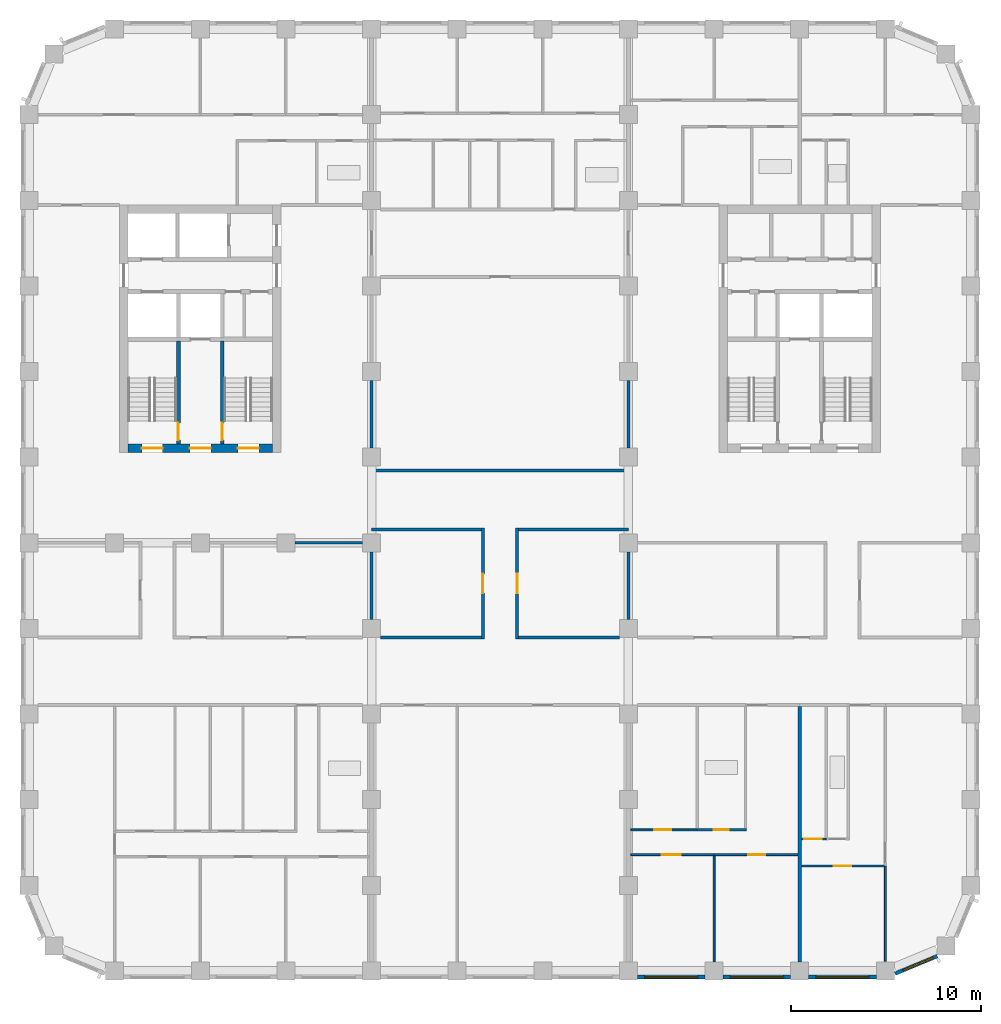
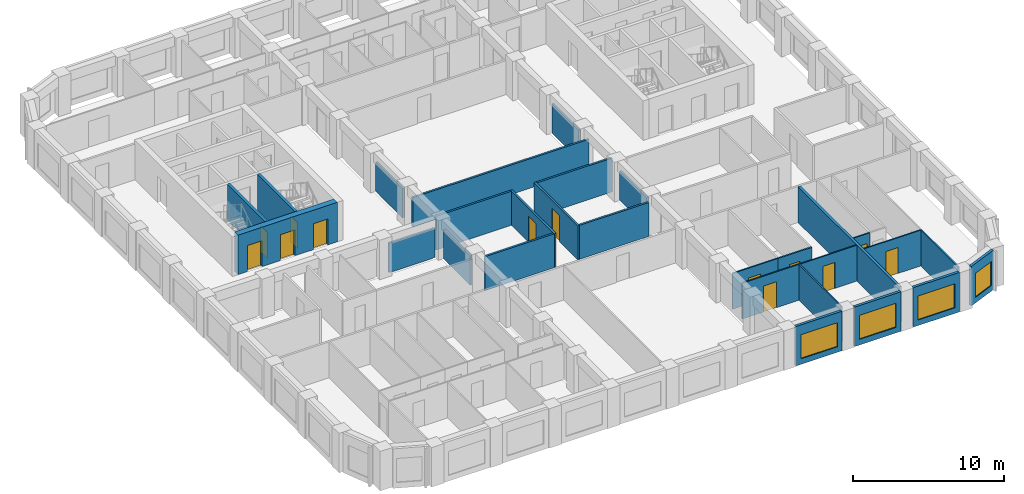
# One storey, part 4 of 13: 28 walls, 13 doors, 4 windows, 17 openings.
"""IFC4 building model written with IfcOpenShell, lengths in metres."""

from ifc_helpers import new_model, si_unit, direction, frame, frame_2d, origin, place, context, subcontext, project, spatial, rectangle, extrude, material, layer, layer_set, type_object, element, fill, save


model = new_model("IFC4")

# Units and contexts
model_context = context("Model", 3, precision=1e-05, world=origin(), true_north=direction((0.0, 1.0)))
body_context = subcontext(model_context, "Body", "Model", "MODEL_VIEW")
ifc_project = project(units=[si_unit("LENGTHUNIT", "METRE"), si_unit("AREAUNIT", "SQUARE_METRE"), si_unit("VOLUMEUNIT", "CUBIC_METRE"), si_unit("PLANEANGLEUNIT", "RADIAN"), si_unit("MASSUNIT", "GRAM", prefix="KILO")], contexts=[model_context])

# Site, building, storey
site_placement = place(None, origin())
site = spatial("IfcSite", under=ifc_project, at=site_placement, CompositionType="ELEMENT")
building_placement = place(site_placement, origin())
building = spatial("IfcBuilding", under=site, at=building_placement, Name="Girih Gate Residences", CompositionType="ELEMENT")
storey_placement = place(building_placement, frame((0.0, 0.0, 133.39990234375)))
storey = spatial("IfcBuildingStorey", under=building, at=storey_placement, Name="L37", CompositionType="ELEMENT", Elevation=133.39990234375)

# Wall, opening, door
ifc_material_1 = material(Name="Gypsum board on steel studs", Category="steel")
ifc_layer_1 = layer(ifc_material_1, 0.14990234375)
ifc_layer_set_1 = layer_set([ifc_layer_1], Name="Compartment wall 150 mm")
wall_type_1 = type_object("IfcWallType", Name="Compartment wall 150 mm", PredefinedType="PARTITIONING", material=ifc_layer_set_1)
wall_1_placement = place(storey_placement, frame((23.85009765625, 17.449951171875, 0.0), z_axis=(0.0, 0.0, 1.0), x_axis=(0.0, 1.0, 0.0)))
wall_1 = element("IfcWall", 1, at=wall_1_placement, inside=storey, type_object=wall_type_1, Name="L37 partition", PredefinedType="PARTITIONING", context=body_context, shape_type="SweptSolid", body=[
    extrude(rectangle(XDim=5.824951171875, YDim=0.14990234375, at=frame_2d((2.91259765625, 0.0))), origin(), (0.0, 0.0, 1.0), 2.75),
])
opening_1_placement = place(wall_1_placement, frame((2.41259765625, 0.0, 0.0)))
opening_1 = element("IfcOpeningElement", 2, at=opening_1_placement, cuts=wall_1, Name="Opening A37-051", PredefinedType="OPENING", context=body_context, shape_type="SweptSolid", body=[
    extrude(rectangle(XDim=1.0, YDim=2.10009765625, at=frame_2d((0.5, 1.050048828125))), frame((0.0, 0.0849609375, 0.0), z_axis=(0.0, -1.0, 0.0), x_axis=(1.0, 0.0, 0.0)), (0.0, 0.0, 1.0), 0.169921875),
])
ifc_material_2 = material(Name="Timber, fire-rated core", Category="wood")
door_type_1 = type_object("IfcDoorType", Name="Amenity room door 1000x2100 FD30S", OperationType="NOTDEFINED", PredefinedType="DOOR", material=ifc_material_2)
door_1_placement = place(opening_1_placement, origin())
door_1 = element("IfcDoor", 3, at=door_1_placement, inside=storey, type_object=door_type_1, Name="Door A37-051", OperationType="SINGLE_SWING_LEFT", OverallHeight=2.10009765625, OverallWidth=1.0, PredefinedType="DOOR", context=body_context, shape_type="SweptSolid", body=[
    extrude(rectangle(XDim=1.0, YDim=2.10009765625, at=frame_2d((0.5, 1.050048828125))), frame((0.0, 0.02490234375, 0.0), z_axis=(0.0, -1.0, 0.0), x_axis=(1.0, 0.0, 0.0)), (0.0, 0.0, 1.0), 0.050048828125),
])
fill(opening_1, door_1)

wall_2_placement = place(storey_placement, frame((25.64990234375, 23.27490234375, 0.0), z_axis=(0.0, 0.0, 1.0), x_axis=(0.0, -1.0, 0.0)))
wall_2 = element("IfcWall", 4, at=wall_2_placement, inside=storey, type_object=wall_type_1, Name="L37 partition", PredefinedType="PARTITIONING", context=body_context, shape_type="SweptSolid", body=[
    extrude(rectangle(XDim=5.824951171875, YDim=0.14990234375, at=frame_2d((2.91259765625, 0.0))), origin(), (0.0, 0.0, 1.0), 2.75),
])
opening_2_placement = place(wall_2_placement, frame((2.41259765625, 0.0, 0.0)))
opening_2 = element("IfcOpeningElement", 5, at=opening_2_placement, cuts=wall_2, Name="Opening A37-052", PredefinedType="OPENING", context=body_context, shape_type="SweptSolid", body=[
    extrude(rectangle(XDim=1.0, YDim=2.10009765625, at=frame_2d((0.5, 1.050048828125))), frame((0.0, 0.0849609375, 0.0), z_axis=(0.0, -1.0, 0.0), x_axis=(1.0, 0.0, 0.0)), (0.0, 0.0, 1.0), 0.169921875),
])
door_2_placement = place(opening_2_placement, origin())
door_2 = element("IfcDoor", 6, at=door_2_placement, inside=storey, type_object=door_type_1, Name="Door A37-052", OperationType="SINGLE_SWING_RIGHT", OverallHeight=2.10009765625, OverallWidth=1.0, PredefinedType="DOOR", context=body_context, shape_type="SweptSolid", body=[
    extrude(rectangle(XDim=1.0, YDim=2.10009765625, at=frame_2d((0.5, 1.050048828125))), frame((0.0, 0.02490234375, 0.0), z_axis=(0.0, -1.0, 0.0), x_axis=(1.0, 0.0, 0.0)), (0.0, 0.0, 1.0), 0.050048828125),
])
fill(opening_2, door_2)

# Walls
for number, where, z_axis, x_axis, name in (
    (7, (18.47509765625, 17.52490234375, 0.0), (0.0, 0.0, 1.0), (1.0, 0.0, 0.0), "L37 partition"),
    (8, (25.72509765625, 17.52490234375, 0.0), (0.0, 0.0, 1.0), (1.0, 0.0, 0.0), "L37 partition"),
):
    element("IfcWall", number, at=place(storey_placement, frame(where, z_axis=z_axis, x_axis=x_axis)), inside=storey, type_object=wall_type_1, Name=name, PredefinedType="PARTITIONING", context=body_context, shape_type="SweptSolid", body=[
        extrude(rectangle(XDim=5.2998046875, YDim=0.14990234375, at=frame_2d((2.64990234375, 0.0))), origin(), (0.0, 0.0, 1.0), 2.75),
    ])
for number, where, z_axis, x_axis, name in (
    (9, (31.5, 27.47509765625, 0.0), (0.0, 0.0, 1.0), (0.0, 1.0, 0.0), "L37 partition"),
    (10, (18.0, 27.47509765625, 0.0), (0.0, 0.0, 1.0), (0.0, 1.0, 0.0), "L37 partition"),
):
    element("IfcWall", number, at=place(storey_placement, frame(where, z_axis=z_axis, x_axis=x_axis)), inside=storey, type_object=wall_type_1, Name=name, PredefinedType="PARTITIONING", context=body_context, shape_type="SweptSolid", body=[
        extrude(rectangle(XDim=3.5498046875, YDim=0.14990234375, at=frame_2d((1.77490234375, 0.0))), origin(), (0.0, 0.0, 1.0), 2.380126953125),
    ])
wall_3_placement = place(storey_placement, frame((18.0, 26.300048828125, 0.0), z_axis=(0.0, 0.0, 1.0), x_axis=(1.0, 0.0, 0.0)))
element("IfcWall", 11, at=wall_3_placement, inside=storey, type_object=wall_type_1, Name="L37 partition", PredefinedType="PARTITIONING", context=body_context, shape_type="SweptSolid", body=[
    extrude(rectangle(XDim=13.5, YDim=0.14990234375, at=frame_2d((6.75, 0.0))), origin(), (0.0, 0.0, 1.0), 2.380126953125),
])
wall_4_placement = place(storey_placement, frame((18.0, 23.199951171875, 0.0), z_axis=(0.0, 0.0, 1.0), x_axis=(1.0, 0.0, 0.0)))
element("IfcWall", 12, at=wall_4_placement, inside=storey, type_object=wall_type_1, Name="L37 partition", PredefinedType="PARTITIONING", context=body_context, shape_type="SweptSolid", body=[
    extrude(rectangle(XDim=5.77490234375, YDim=0.14990234375, at=frame_2d((2.887451171875, 0.0))), origin(), (0.0, 0.0, 1.0), 2.75),
])
wall_5_placement = place(storey_placement, frame((18.0, 18.47509765625, 0.0), z_axis=(0.0, 0.0, 1.0), x_axis=(0.0, 1.0, 0.0)))
element("IfcWall", 13, at=wall_5_placement, inside=storey, type_object=wall_type_1, Name="L37 partition", PredefinedType="PARTITIONING", context=body_context, shape_type="SweptSolid", body=[
    extrude(rectangle(XDim=3.5498046875, YDim=0.14990234375, at=frame_2d((1.77490234375, 0.0))), origin(), (0.0, 0.0, 1.0), 2.380126953125),
])
wall_6_placement = place(storey_placement, frame((25.72509765625, 23.199951171875, 0.0), z_axis=(0.0, 0.0, 1.0), x_axis=(1.0, 0.0, 0.0)))
element("IfcWall", 14, at=wall_6_placement, inside=storey, type_object=wall_type_1, Name="L37 partition", PredefinedType="PARTITIONING", context=body_context, shape_type="SweptSolid", body=[
    extrude(rectangle(XDim=5.77490234375, YDim=0.14990234375, at=frame_2d((2.887451171875, 0.0))), origin(), (0.0, 0.0, 1.0), 2.75),
])
for number, where, z_axis, x_axis, name in (
    (15, (31.5, 18.47509765625, 0.0), (0.0, 0.0, 1.0), (0.0, 1.0, 0.0), "L37 partition"),
    (16, (13.97509765625, 22.5, 0.0), (0.0, 0.0, 1.0), (1.0, 0.0, 0.0), "L37 partition"),
):
    element("IfcWall", number, at=place(storey_placement, frame(where, z_axis=z_axis, x_axis=x_axis)), inside=storey, type_object=wall_type_1, Name=name, PredefinedType="PARTITIONING", context=body_context, shape_type="SweptSolid", body=[
        extrude(rectangle(XDim=3.5498046875, YDim=0.14990234375, at=frame_2d((1.77490234375, 0.0))), origin(), (0.0, 0.0, 1.0), 2.380126953125),
    ])

# Wall, openings, doors
ifc_material_3 = material(Name="Concrete C60/75", Category="concrete")
ifc_layer_2 = layer(ifc_material_3, 0.449951171875)
ifc_layer_set_2 = layer_set([ifc_layer_2], Name="Core wall RC 450 Concrete C60/75")
wall_type_2 = type_object("IfcWallType", Name="Core wall RC 450 Concrete C60/75", PredefinedType="SOLIDWALL", material=ifc_layer_set_2)
wall_7_placement = place(storey_placement, frame((5.199951171875, 27.47509765625, 0.0), z_axis=(0.0, 0.0, 1.0), x_axis=(1.0, 0.0, 0.0)))
wall_7 = element("IfcWall", 17, at=wall_7_placement, inside=storey, type_object=wall_type_2, Name="Core wall W-S L37", PredefinedType="SOLIDWALL", context=body_context, shape_type="SweptSolid", body=[
    extrude(rectangle(XDim=7.60009765625, YDim=0.449951171875, at=frame_2d((3.800048828125, 0.0))), origin(), (0.0, 0.0, 1.0), 3.2001953125),
])
opening_3_placement = place(wall_7_placement, frame((0.72509765625, 0.0, 0.0)))
opening_3 = element("IfcOpeningElement", 18, at=opening_3_placement, cuts=wall_7, Name="Opening D-L37-W-009", PredefinedType="OPENING", context=body_context, shape_type="SweptSolid", body=[
    extrude(rectangle(XDim=1.10009765625, YDim=2.10009765625, at=frame_2d((0.550048828125, 1.050048828125))), frame((0.0, 0.23486328125, 0.0), z_axis=(0.0, -1.0, 0.0), x_axis=(1.0, 0.0, 0.0)), (0.0, 0.0, 1.0), 0.469970703125),
])
opening_4_placement = place(wall_7_placement, frame((3.25, 0.0, 0.0)))
opening_4 = element("IfcOpeningElement", 19, at=opening_4_placement, cuts=wall_7, Name="Opening D-L37-W-010", PredefinedType="OPENING", context=body_context, shape_type="SweptSolid", body=[
    extrude(rectangle(XDim=1.10009765625, YDim=2.10009765625, at=frame_2d((0.550048828125, 1.050048828125))), frame((0.0, 0.23486328125, 0.0), z_axis=(0.0, -1.0, 0.0), x_axis=(1.0, 0.0, 0.0)), (0.0, 0.0, 1.0), 0.469970703125),
])
opening_5_placement = place(wall_7_placement, frame((5.77490234375, 0.0, 0.0)))
opening_5 = element("IfcOpeningElement", 20, at=opening_5_placement, cuts=wall_7, Name="Opening D-L37-W-011", PredefinedType="OPENING", context=body_context, shape_type="SweptSolid", body=[
    extrude(rectangle(XDim=1.10009765625, YDim=2.10009765625, at=frame_2d((0.550048828125, 1.050048828125))), frame((0.0, 0.23486328125, 0.0), z_axis=(0.0, -1.0, 0.0), x_axis=(1.0, 0.0, 0.0)), (0.0, 0.0, 1.0), 0.469970703125),
])
ifc_material_4 = material(Name="Painted steel, fire-resisting", Category="steel")
door_type_2 = type_object("IfcDoorType", Name="Fire door 1100x2100", OperationType="SINGLE_SWING_LEFT", PredefinedType="DOOR", material=ifc_material_4)
door_3_placement = place(opening_3_placement, origin())
door_3 = element("IfcDoor", 21, at=door_3_placement, inside=storey, type_object=door_type_2, Name="L37 W core door sta-out", OperationType="SINGLE_SWING_LEFT", OverallHeight=2.10009765625, OverallWidth=1.10009765625, PredefinedType="DOOR", context=body_context, shape_type="SweptSolid", body=[
    extrude(rectangle(XDim=1.10009765625, YDim=2.10009765625, at=frame_2d((0.550048828125, 1.050048828125))), frame((0.0, 0.02490234375, 0.0), z_axis=(0.0, -1.0, 0.0), x_axis=(1.0, 0.0, 0.0)), (0.0, 0.0, 1.0), 0.050048828125),
])
fill(opening_3, door_3)
door_4_placement = place(opening_4_placement, origin())
door_4 = element("IfcDoor", 22, at=door_4_placement, inside=storey, type_object=door_type_2, Name="L37 W core door ffl-out", OperationType="SINGLE_SWING_LEFT", OverallHeight=2.10009765625, OverallWidth=1.10009765625, PredefinedType="DOOR", context=body_context, shape_type="SweptSolid", body=[
    extrude(rectangle(XDim=1.10009765625, YDim=2.10009765625, at=frame_2d((0.550048828125, 1.050048828125))), frame((0.0, 0.02490234375, 0.0), z_axis=(0.0, -1.0, 0.0), x_axis=(1.0, 0.0, 0.0)), (0.0, 0.0, 1.0), 0.050048828125),
])
fill(opening_4, door_4)
door_5_placement = place(opening_5_placement, origin())
door_5 = element("IfcDoor", 23, at=door_5_placement, inside=storey, type_object=door_type_2, Name="L37 W core door stb-out", OperationType="SINGLE_SWING_LEFT", OverallHeight=2.10009765625, OverallWidth=1.10009765625, PredefinedType="DOOR", context=body_context, shape_type="SweptSolid", body=[
    extrude(rectangle(XDim=1.10009765625, YDim=2.10009765625, at=frame_2d((0.550048828125, 1.050048828125))), frame((0.0, 0.02490234375, 0.0), z_axis=(0.0, -1.0, 0.0), x_axis=(1.0, 0.0, 0.0)), (0.0, 0.0, 1.0), 0.050048828125),
])
fill(opening_5, door_5)

# Wall, opening, door
ifc_layer_3 = layer(ifc_material_1, 0.10009765625)
ifc_layer_set_3 = layer_set([ifc_layer_3], Name="Partition 100 mm")
wall_type_3 = type_object("IfcWallType", Name="Partition 100 mm", PredefinedType="PARTITIONING", material=ifc_layer_set_3)
wall_8_placement = place(storey_placement, frame((44.949951171875, 5.514892578125, 0.0), z_axis=(0.0, 0.0, 1.0), x_axis=(-1.0, 0.0, 0.0)))
wall_8 = element("IfcWall", 24, at=wall_8_placement, inside=storey, type_object=wall_type_3, Name="L37 partition", PredefinedType="PARTITIONING", context=body_context, shape_type="SweptSolid", body=[
    extrude(rectangle(XDim=4.349853515625, YDim=0.10009765625, at=frame_2d((2.1748046875, 0.0))), origin(), (0.0, 0.0, 1.0), 2.900146484375),
])
opening_6_placement = place(wall_8_placement, frame((1.75, 0.0, 0.0)))
opening_6 = element("IfcOpeningElement", 25, at=opening_6_placement, cuts=wall_8, Name="Opening A37-018", PredefinedType="OPENING", context=body_context, shape_type="SweptSolid", body=[
    extrude(rectangle(XDim=0.89990234375, YDim=2.10009765625, at=frame_2d((0.449951171875, 1.050048828125))), frame((0.0, 0.06005859375, 0.0), z_axis=(0.0, -1.0, 0.0), x_axis=(1.0, 0.0, 0.0)), (0.0, 0.0, 1.0), 0.1201171875),
])
ifc_material_5 = material(Name="Timber", Category="wood")
door_type_3 = type_object("IfcDoorType", Name="Bedroom door 900x2100", OperationType="NOTDEFINED", PredefinedType="DOOR", material=ifc_material_5)
door_6_placement = place(opening_6_placement, origin())
door_6 = element("IfcDoor", 26, at=door_6_placement, inside=storey, type_object=door_type_3, Name="Door A37-018", OperationType="SINGLE_SWING_RIGHT", OverallHeight=2.10009765625, OverallWidth=0.89990234375, PredefinedType="DOOR", context=body_context, shape_type="SweptSolid", body=[
    extrude(rectangle(XDim=0.89990234375, YDim=2.10009765625, at=frame_2d((0.449951171875, 1.050048828125))), frame((0.0, 0.02490234375, 0.0), z_axis=(0.0, -1.0, 0.0), x_axis=(1.0, 0.0, 0.0)), (0.0, 0.0, 1.0), 0.050048828125),
])
fill(opening_6, door_6)

# Wall
wall_9_placement = place(storey_placement, frame((45.0, 0.51416015625, 0.0), z_axis=(0.0, 0.0, 1.0), x_axis=(0.0, 1.0, 0.0)))
element("IfcWall", 27, at=wall_9_placement, inside=storey, type_object=wall_type_3, Name="L37 partition", PredefinedType="PARTITIONING", context=body_context, shape_type="SweptSolid", body=[
    extrude(rectangle(XDim=5.000732421875, YDim=0.10009765625, at=frame_2d((2.50048828125, 0.0))), origin(), (0.0, 0.0, 1.0), 2.900146484375),
])

# Wall, opening, door
wall_10_placement = place(storey_placement, frame((40.60009765625, 6.93505859375, 0.0), z_axis=(0.0, 0.0, 1.0), x_axis=(1.0, 0.0, 0.0)))
wall_10 = element("IfcWall", 28, at=wall_10_placement, inside=storey, type_object=wall_type_3, Name="L37 partition", PredefinedType="PARTITIONING", context=body_context, shape_type="SweptSolid", body=[
    extrude(rectangle(XDim=1.290771484375, YDim=0.10009765625, at=frame_2d((0.6455078125, 0.0))), origin(), (0.0, 0.0, 1.0), 2.900146484375),
])
opening_7_placement = place(wall_10_placement, frame((0.1455078125, 0.0, 0.0)))
opening_7 = element("IfcOpeningElement", 29, at=opening_7_placement, cuts=wall_10, Name="Opening A37-019", PredefinedType="OPENING", context=body_context, shape_type="SweptSolid", body=[
    extrude(rectangle(XDim=0.89990234375, YDim=2.10009765625, at=frame_2d((0.449951171875, 1.050048828125))), frame((0.0, 0.06005859375, 0.0), z_axis=(0.0, -1.0, 0.0), x_axis=(1.0, 0.0, 0.0)), (0.0, 0.0, 1.0), 0.1201171875),
])
door_type_4 = type_object("IfcDoorType", Name="Kitchen door 900x2100", OperationType="NOTDEFINED", PredefinedType="DOOR", material=ifc_material_5)
door_7_placement = place(opening_7_placement, origin())
door_7 = element("IfcDoor", 30, at=door_7_placement, inside=storey, type_object=door_type_4, Name="Door A37-019", OperationType="SINGLE_SWING_LEFT", OverallHeight=2.10009765625, OverallWidth=0.89990234375, PredefinedType="DOOR", context=body_context, shape_type="SweptSolid", body=[
    extrude(rectangle(XDim=0.89990234375, YDim=2.10009765625, at=frame_2d((0.449951171875, 1.050048828125))), frame((0.0, 0.02490234375, 0.0), z_axis=(0.0, -1.0, 0.0), x_axis=(1.0, 0.0, 0.0)), (0.0, 0.0, 1.0), 0.050048828125),
])
fill(opening_7, door_7)

wall_11_placement = place(storey_placement, frame((40.39990234375, 6.114990234375, 0.0), z_axis=(0.0, 0.0, 1.0), x_axis=(-1.0, 0.0, 0.0)))
wall_11 = element("IfcWall", 31, at=wall_11_placement, inside=storey, type_object=wall_type_3, Name="L37 partition", PredefinedType="PARTITIONING", context=body_context, shape_type="SweptSolid", body=[
    extrude(rectangle(XDim=4.39990234375, YDim=0.10009765625, at=frame_2d((2.199951171875, 0.0))), origin(), (0.0, 0.0, 1.0), 2.900146484375),
])
opening_8_placement = place(wall_11_placement, frame((1.699951171875, 0.0, 0.0)))
opening_8 = element("IfcOpeningElement", 32, at=opening_8_placement, cuts=wall_11, Name="Opening A37-023", PredefinedType="OPENING", context=body_context, shape_type="SweptSolid", body=[
    extrude(rectangle(XDim=0.89990234375, YDim=2.10009765625, at=frame_2d((0.449951171875, 1.050048828125))), frame((0.0, 0.06005859375, 0.0), z_axis=(0.0, -1.0, 0.0), x_axis=(1.0, 0.0, 0.0)), (0.0, 0.0, 1.0), 0.1201171875),
])
door_8_placement = place(opening_8_placement, origin())
door_8 = element("IfcDoor", 33, at=door_8_placement, inside=storey, type_object=door_type_3, Name="Door A37-023", OperationType="SINGLE_SWING_LEFT", OverallHeight=2.10009765625, OverallWidth=0.89990234375, PredefinedType="DOOR", context=body_context, shape_type="SweptSolid", body=[
    extrude(rectangle(XDim=0.89990234375, YDim=2.10009765625, at=frame_2d((0.449951171875, 1.050048828125))), frame((0.0, 0.02490234375, 0.0), z_axis=(0.0, -1.0, 0.0), x_axis=(1.0, 0.0, 0.0)), (0.0, 0.0, 1.0), 0.050048828125),
])
fill(opening_8, door_8)

# Wall
wall_12_placement = place(storey_placement, frame((36.0, 0.47509765625, 0.0), z_axis=(0.0, 0.0, 1.0), x_axis=(0.0, 1.0, 0.0)))
element("IfcWall", 34, at=wall_12_placement, inside=storey, type_object=wall_type_3, Name="L37 partition", PredefinedType="PARTITIONING", context=body_context, shape_type="SweptSolid", body=[
    extrude(rectangle(XDim=5.58984375, YDim=0.10009765625, at=frame_2d((2.794921875, 0.0))), origin(), (0.0, 0.0, 1.0), 2.900146484375),
])

# Wall, opening, door
wall_13_placement = place(storey_placement, frame((31.625, 7.4150390625, 0.0), z_axis=(0.0, 0.0, 1.0), x_axis=(1.0, 0.0, 0.0)))
wall_13 = element("IfcWall", 35, at=wall_13_placement, inside=storey, type_object=wall_type_3, Name="L37 partition", PredefinedType="PARTITIONING", context=body_context, shape_type="SweptSolid", body=[
    extrude(rectangle(XDim=3.485595703125, YDim=0.10009765625, at=frame_2d((1.74267578125, 0.0))), origin(), (0.0, 0.0, 1.0), 2.900146484375),
])
opening_9_placement = place(wall_13_placement, frame((1.23046875, 0.0, 0.0)))
opening_9 = element("IfcOpeningElement", 36, at=opening_9_placement, cuts=wall_13, Name="Opening A37-024", PredefinedType="OPENING", context=body_context, shape_type="SweptSolid", body=[
    extrude(rectangle(XDim=0.89990234375, YDim=2.10009765625, at=frame_2d((0.449951171875, 1.050048828125))), frame((0.0, 0.06005859375, 0.0), z_axis=(0.0, -1.0, 0.0), x_axis=(1.0, 0.0, 0.0)), (0.0, 0.0, 1.0), 0.1201171875),
])
door_9_placement = place(opening_9_placement, origin())
door_9 = element("IfcDoor", 37, at=door_9_placement, inside=storey, type_object=door_type_4, Name="Door A37-024", OperationType="SINGLE_SWING_LEFT", OverallHeight=2.10009765625, OverallWidth=0.89990234375, PredefinedType="DOOR", context=body_context, shape_type="SweptSolid", body=[
    extrude(rectangle(XDim=0.89990234375, YDim=2.10009765625, at=frame_2d((0.449951171875, 1.050048828125))), frame((0.0, 0.02490234375, 0.0), z_axis=(0.0, -1.0, 0.0), x_axis=(1.0, 0.0, 0.0)), (0.0, 0.0, 1.0), 0.050048828125),
])
fill(opening_9, door_9)

wall_14_placement = place(storey_placement, frame((36.0, 6.114990234375, 0.0), z_axis=(0.0, 0.0, 1.0), x_axis=(-1.0, 0.0, 0.0)))
wall_14 = element("IfcWall", 38, at=wall_14_placement, inside=storey, type_object=wall_type_3, Name="L37 partition", PredefinedType="PARTITIONING", context=body_context, shape_type="SweptSolid", body=[
    extrude(rectangle(XDim=4.375, YDim=0.10009765625, at=frame_2d((2.1875, 0.0))), origin(), (0.0, 0.0, 1.0), 2.900146484375),
])
opening_10_placement = place(wall_14_placement, frame((1.75, 0.0, 0.0)))
opening_10 = element("IfcOpeningElement", 39, at=opening_10_placement, cuts=wall_14, Name="Opening A37-025", PredefinedType="OPENING", context=body_context, shape_type="SweptSolid", body=[
    extrude(rectangle(XDim=1.0, YDim=2.10009765625, at=frame_2d((0.5, 1.050048828125))), frame((0.0, 0.06005859375, 0.0), z_axis=(0.0, -1.0, 0.0), x_axis=(1.0, 0.0, 0.0)), (0.0, 0.0, 1.0), 0.1201171875),
])
door_type_5 = type_object("IfcDoorType", Name="Living room door 1000x2100", OperationType="NOTDEFINED", PredefinedType="DOOR", material=ifc_material_5)
door_10_placement = place(opening_10_placement, origin())
door_10 = element("IfcDoor", 40, at=door_10_placement, inside=storey, type_object=door_type_5, Name="Door A37-025", OperationType="SINGLE_SWING_RIGHT", OverallHeight=2.10009765625, OverallWidth=1.0, PredefinedType="DOOR", context=body_context, shape_type="SweptSolid", body=[
    extrude(rectangle(XDim=1.0, YDim=2.10009765625, at=frame_2d((0.5, 1.050048828125))), frame((0.0, 0.02490234375, 0.0), z_axis=(0.0, -1.0, 0.0), x_axis=(1.0, 0.0, 0.0)), (0.0, 0.0, 1.0), 0.050048828125),
])
fill(opening_10, door_10)

# Wall
ifc_layer_4 = layer(ifc_material_1, 0.199951171875)
ifc_layer_set_4 = layer_set([ifc_layer_4], Name="Party wall 200 mm")
wall_type_4 = type_object("IfcWallType", Name="Party wall 200 mm", PredefinedType="PARTITIONING", material=ifc_layer_set_4)
wall_15_placement = place(storey_placement, frame((40.5, 0.47509765625, 0.0), z_axis=(0.0, 0.0, 1.0), x_axis=(0.0, 1.0, 0.0)))
element("IfcWall", 41, at=wall_15_placement, inside=storey, type_object=wall_type_4, Name="L37 partition", PredefinedType="PARTITIONING", context=body_context, shape_type="SweptSolid", body=[
    extrude(rectangle(XDim=13.4248046875, YDim=0.199951171875, at=frame_2d((6.71240234375, 0.0))), origin(), (0.0, 0.0, 1.0), 2.900146484375),
])

# Wall, opening, window
ifc_material_6 = material(Name="Precast concrete C50/60", Category="concrete")
ifc_layer_5 = layer(ifc_material_6, 0.06005859375, Name="Outer leaf")
ifc_material_7 = material(Name="Rigid PIR insulation")
ifc_layer_6 = layer(ifc_material_7, 0.090087890625, Name="Insulation")
ifc_material_8 = material(Name="Precast concrete C40/50", Category="concrete")
ifc_layer_7 = layer(ifc_material_8, 0.050048828125, Name="Inner leaf")
ifc_layer_set_5 = layer_set([ifc_layer_5, ifc_layer_6, ifc_layer_7], Name="Precast concrete C50/60 external wall 200")
wall_type_5 = type_object("IfcWallType", Name="Precast concrete C50/60 external wall 200", PredefinedType="SOLIDWALL", material=ifc_layer_set_5)
wall_16_placement = place(storey_placement, frame((35.52490234375, -0.324951171875, 0.0), z_axis=(0.0, 0.0, 1.0), x_axis=(-1.0, 0.0, 0.0)))
wall_16 = element("IfcWall", 42, at=wall_16_placement, inside=storey, type_object=wall_type_5, Name="External wall S0045_0000.6", PredefinedType="SOLIDWALL", context=body_context, shape_type="SweptSolid", body=[
    extrude(rectangle(XDim=3.5498046875, YDim=0.199951171875, at=frame_2d((1.77490234375, 0.0))), origin(), (0.0, 0.0, 1.0), 3.2001953125),
])
opening_11_placement = place(wall_16_placement, frame((0.375, 0.0, 0.449951171875)))
opening_11 = element("IfcOpeningElement", 43, at=opening_11_placement, cuts=wall_16, Name="Opening W-1B", PredefinedType="OPENING", context=body_context, shape_type="SweptSolid", body=[
    extrude(rectangle(XDim=2.800048828125, YDim=1.949951171875, at=frame_2d((1.39990234375, 0.97509765625))), frame((0.0, 0.10986328125, 0.0), z_axis=(0.0, -1.0, 0.0), x_axis=(1.0, 0.0, 0.0)), (0.0, 0.0, 1.0), 0.219970703125),
])
ifc_material_9 = material(Name="Double glazing in aluminium frame", Category="aluminium")
window_type_1 = type_object("IfcWindowType", Name="Window W-1B 2800x1950", PartitioningType="SINGLE_PANEL", PredefinedType="WINDOW", material=ifc_material_9)
window_1_placement = place(opening_11_placement, origin())
window_1 = element("IfcWindow", 44, at=window_1_placement, inside=storey, type_object=window_type_1, Name="Window W-1B S0045_0000.6", OverallHeight=1.949951171875, OverallWidth=2.800048828125, PartitioningType="SINGLE_PANEL", PredefinedType="WINDOW", context=body_context, shape_type="SweptSolid", body=[
    extrude(rectangle(XDim=2.800048828125, YDim=1.949951171875, at=frame_2d((1.39990234375, 0.97509765625))), frame((0.0, 0.030029296875, 0.0), z_axis=(0.0, -1.0, 0.0), x_axis=(1.0, 0.0, 0.0)), (0.0, 0.0, 1.0), 0.06005859375),
])
fill(opening_11, window_1)

wall_17_placement = place(storey_placement, frame((40.02490234375, -0.324951171875, 0.0), z_axis=(0.0, 0.0, 1.0), x_axis=(-1.0, 0.0, 0.0)))
wall_17 = element("IfcWall", 45, at=wall_17_placement, inside=storey, type_object=wall_type_5, Name="External wall S0045_0000.7", PredefinedType="SOLIDWALL", context=body_context, shape_type="SweptSolid", body=[
    extrude(rectangle(XDim=3.5498046875, YDim=0.199951171875, at=frame_2d((1.77490234375, 0.0))), origin(), (0.0, 0.0, 1.0), 3.2001953125),
])
opening_12_placement = place(wall_17_placement, frame((0.375, 0.0, 0.449951171875)))
opening_12 = element("IfcOpeningElement", 46, at=opening_12_placement, cuts=wall_17, Name="Opening W-1B", PredefinedType="OPENING", context=body_context, shape_type="SweptSolid", body=[
    extrude(rectangle(XDim=2.800048828125, YDim=1.949951171875, at=frame_2d((1.39990234375, 0.97509765625))), frame((0.0, 0.10986328125, 0.0), z_axis=(0.0, -1.0, 0.0), x_axis=(1.0, 0.0, 0.0)), (0.0, 0.0, 1.0), 0.219970703125),
])
window_2_placement = place(opening_12_placement, origin())
window_2 = element("IfcWindow", 47, at=window_2_placement, inside=storey, type_object=window_type_1, Name="Window W-1B S0045_0000.7", OverallHeight=1.949951171875, OverallWidth=2.800048828125, PartitioningType="SINGLE_PANEL", PredefinedType="WINDOW", context=body_context, shape_type="SweptSolid", body=[
    extrude(rectangle(XDim=2.800048828125, YDim=1.949951171875, at=frame_2d((1.39990234375, 0.97509765625))), frame((0.0, 0.030029296875, 0.0), z_axis=(0.0, -1.0, 0.0), x_axis=(1.0, 0.0, 0.0)), (0.0, 0.0, 1.0), 0.06005859375),
])
fill(opening_12, window_2)

wall_18_placement = place(storey_placement, frame((44.52490234375, -0.324951171875, 0.0), z_axis=(0.0, 0.0, 1.0), x_axis=(-1.0, 0.0, 0.0)))
wall_18 = element("IfcWall", 48, at=wall_18_placement, inside=storey, type_object=wall_type_5, Name="External wall S0045_0000.8", PredefinedType="SOLIDWALL", context=body_context, shape_type="SweptSolid", body=[
    extrude(rectangle(XDim=3.5498046875, YDim=0.199951171875, at=frame_2d((1.77490234375, 0.0))), origin(), (0.0, 0.0, 1.0), 3.2001953125),
])
opening_13_placement = place(wall_18_placement, frame((0.375, 0.0, 0.449951171875)))
opening_13 = element("IfcOpeningElement", 49, at=opening_13_placement, cuts=wall_18, Name="Opening W-1B", PredefinedType="OPENING", context=body_context, shape_type="SweptSolid", body=[
    extrude(rectangle(XDim=2.800048828125, YDim=1.949951171875, at=frame_2d((1.39990234375, 0.97509765625))), frame((0.0, 0.10986328125, 0.0), z_axis=(0.0, -1.0, 0.0), x_axis=(1.0, 0.0, 0.0)), (0.0, 0.0, 1.0), 0.219970703125),
])
window_3_placement = place(opening_13_placement, origin())
window_3 = element("IfcWindow", 50, at=window_3_placement, inside=storey, type_object=window_type_1, Name="Window W-1B S0045_0000.8", OverallHeight=1.949951171875, OverallWidth=2.800048828125, PartitioningType="SINGLE_PANEL", PredefinedType="WINDOW", context=body_context, shape_type="SweptSolid", body=[
    extrude(rectangle(XDim=2.800048828125, YDim=1.949951171875, at=frame_2d((1.39990234375, 0.97509765625))), frame((0.0, 0.030029296875, 0.0), z_axis=(0.0, -1.0, 0.0), x_axis=(1.0, 0.0, 0.0)), (0.0, 0.0, 1.0), 0.06005859375),
])
fill(opening_13, window_3)

wall_19_placement = place(storey_placement, frame((47.73291015625, 0.7802734375, 0.0), z_axis=(0.0, 0.0, 1.0), x_axis=(-0.923880599843, -0.382680855588, 0.0)))
wall_19 = element("IfcWall", 51, at=wall_19_placement, inside=storey, type_object=wall_type_5, Name="External wall SE0450_0000.0", PredefinedType="SOLIDWALL", context=body_context, shape_type="SweptSolid", body=[
    extrude(rectangle(XDim=2.402587890625, YDim=0.199951171875, at=frame_2d((1.201171875, 0.0))), origin(), (0.0, 0.0, 1.0), 3.2001953125),
])
opening_14_placement = place(wall_19_placement, frame((0.25146484375, 0.0, 0.449951171875)))
opening_14 = element("IfcOpeningElement", 52, at=opening_14_placement, cuts=wall_19, Name="Opening W-2E", PredefinedType="OPENING", context=body_context, shape_type="SweptSolid", body=[
    extrude(rectangle(XDim=1.699951171875, YDim=1.949951171875, at=frame_2d((0.85009765625, 0.97509765625))), frame((0.0, 0.10986328125, 0.0), z_axis=(0.0, -1.0, 0.0), x_axis=(1.0, 0.0, 0.0)), (0.0, 0.0, 1.0), 0.219970703125),
])
window_type_2 = type_object("IfcWindowType", Name="Window W-2E 1700x1950", PartitioningType="SINGLE_PANEL", PredefinedType="WINDOW", material=ifc_material_9)
window_4_placement = place(opening_14_placement, origin())
window_4 = element("IfcWindow", 53, at=window_4_placement, inside=storey, type_object=window_type_2, Name="Window W-2E SE0450_0000.0", OverallHeight=1.949951171875, OverallWidth=1.699951171875, PartitioningType="SINGLE_PANEL", PredefinedType="WINDOW", context=body_context, shape_type="SweptSolid", body=[
    extrude(rectangle(XDim=1.699951171875, YDim=1.949951171875, at=frame_2d((0.85009765625, 0.97509765625))), frame((0.0, 0.030029296875, 0.0), z_axis=(0.0, -1.0, 0.0), x_axis=(1.0, 0.0, 0.0)), (0.0, 0.0, 1.0), 0.06005859375),
])
fill(opening_14, window_4)

# Wall, opening, door
ifc_material_10 = material(Name="Concrete C40/50", Category="concrete")
ifc_layer_8 = layer(ifc_material_10, 0.199951171875)
ifc_layer_set_6 = layer_set([ifc_layer_8], Name="Shaft wall 200")
wall_type_6 = type_object("IfcWallType", Name="Shaft wall 200", PredefinedType="SOLIDWALL", material=ifc_layer_set_6)
wall_20_placement = place(storey_placement, frame((7.85009765625, 27.699951171875, 0.0), z_axis=(0.0, 0.0, 1.0), x_axis=(0.0, 1.0, 0.0)))
wall_20 = element("IfcWall", 54, at=wall_20_placement, inside=storey, type_object=wall_type_6, Name="L37 W core wall V1a", PredefinedType="SOLIDWALL", context=body_context, shape_type="SweptSolid", body=[
    extrude(rectangle(XDim=5.400146484375, YDim=0.199951171875, at=frame_2d((2.7001953125, 0.0))), origin(), (0.0, 0.0, 1.0), 2.900146484375),
])
opening_15_placement = place(wall_20_placement, frame((0.199951171875, 0.0, 0.0)))
opening_15 = element("IfcOpeningElement", 55, at=opening_15_placement, cuts=wall_20, Name="Opening D-L37-W-001", PredefinedType="OPENING", context=body_context, shape_type="SweptSolid", body=[
    extrude(rectangle(XDim=0.89990234375, YDim=2.10009765625, at=frame_2d((0.449951171875, 1.050048828125))), frame((0.0, 0.10986328125, 0.0), z_axis=(0.0, -1.0, 0.0), x_axis=(1.0, 0.0, 0.0)), (0.0, 0.0, 1.0), 0.219970703125),
])
door_type_6 = type_object("IfcDoorType", Name="Fire door 900x2100", OperationType="SINGLE_SWING_LEFT", PredefinedType="DOOR", material=ifc_material_4)
door_11_placement = place(opening_15_placement, origin())
door_11 = element("IfcDoor", 56, at=door_11_placement, inside=storey, type_object=door_type_6, Name="L37 W door stair 1 to firefighting lobby", OperationType="SINGLE_SWING_LEFT", OverallHeight=2.10009765625, OverallWidth=0.89990234375, PredefinedType="DOOR", context=body_context, shape_type="SweptSolid", body=[
    extrude(rectangle(XDim=0.89990234375, YDim=2.10009765625, at=frame_2d((0.449951171875, 1.050048828125))), frame((0.0, 0.02490234375, 0.0), z_axis=(0.0, -1.0, 0.0), x_axis=(1.0, 0.0, 0.0)), (0.0, 0.0, 1.0), 0.050048828125),
])
fill(opening_15, door_11)

wall_21_placement = place(storey_placement, frame((10.14990234375, 27.699951171875, 0.0), z_axis=(0.0, 0.0, 1.0), x_axis=(0.0, 1.0, 0.0)))
wall_21 = element("IfcWall", 57, at=wall_21_placement, inside=storey, type_object=wall_type_6, Name="L37 W core wall V2a", PredefinedType="SOLIDWALL", context=body_context, shape_type="SweptSolid", body=[
    extrude(rectangle(XDim=5.400146484375, YDim=0.199951171875, at=frame_2d((2.7001953125, 0.0))), origin(), (0.0, 0.0, 1.0), 2.900146484375),
])
opening_16_placement = place(wall_21_placement, frame((0.199951171875, 0.0, 0.0)))
opening_16 = element("IfcOpeningElement", 58, at=opening_16_placement, cuts=wall_21, Name="Opening D-L37-W-002", PredefinedType="OPENING", context=body_context, shape_type="SweptSolid", body=[
    extrude(rectangle(XDim=0.89990234375, YDim=2.10009765625, at=frame_2d((0.449951171875, 1.050048828125))), frame((0.0, 0.10986328125, 0.0), z_axis=(0.0, -1.0, 0.0), x_axis=(1.0, 0.0, 0.0)), (0.0, 0.0, 1.0), 0.219970703125),
])
door_12_placement = place(opening_16_placement, origin())
door_12 = element("IfcDoor", 59, at=door_12_placement, inside=storey, type_object=door_type_6, Name="L37 W door stair 2 to firefighting lobby", OperationType="SINGLE_SWING_LEFT", OverallHeight=2.10009765625, OverallWidth=0.89990234375, PredefinedType="DOOR", context=body_context, shape_type="SweptSolid", body=[
    extrude(rectangle(XDim=0.89990234375, YDim=2.10009765625, at=frame_2d((0.449951171875, 1.050048828125))), frame((0.0, 0.02490234375, 0.0), z_axis=(0.0, -1.0, 0.0), x_axis=(1.0, 0.0, 0.0)), (0.0, 0.0, 1.0), 0.050048828125),
])
fill(opening_16, door_12)

ifc_layer_9 = layer(ifc_material_1, 0.125)
ifc_layer_set_7 = layer_set([ifc_layer_9], Name="Wet room wall 125 mm")
wall_type_7 = type_object("IfcWallType", Name="Wet room wall 125 mm", PredefinedType="PARTITIONING", material=ifc_layer_set_7)
wall_22_placement = place(storey_placement, frame((35.110595703125, 7.4150390625, 0.0), z_axis=(0.0, 0.0, 1.0), x_axis=(1.0, 0.0, 0.0)))
wall_22 = element("IfcWall", 60, at=wall_22_placement, inside=storey, type_object=wall_type_7, Name="L37 partition", PredefinedType="PARTITIONING", context=body_context, shape_type="SweptSolid", body=[
    extrude(rectangle(XDim=2.601806640625, YDim=0.125, at=frame_2d((1.30078125, 0.0))), origin(), (0.0, 0.0, 1.0), 2.900146484375),
])
opening_17_placement = place(wall_22_placement, frame((0.86962890625, 0.0, 0.0)))
opening_17 = element("IfcOpeningElement", 61, at=opening_17_placement, cuts=wall_22, Name="Opening A37-022", PredefinedType="OPENING", context=body_context, shape_type="SweptSolid", body=[
    extrude(rectangle(XDim=0.800048828125, YDim=2.10009765625, at=frame_2d((0.39990234375, 1.050048828125))), frame((0.0, 0.072509765625, 0.0), z_axis=(0.0, -1.0, 0.0), x_axis=(1.0, 0.0, 0.0)), (0.0, 0.0, 1.0), 0.14501953125),
])
door_type_7 = type_object("IfcDoorType", Name="Bathroom door 800x2100", OperationType="NOTDEFINED", PredefinedType="DOOR", material=ifc_material_5)
door_13_placement = place(opening_17_placement, origin())
door_13 = element("IfcDoor", 62, at=door_13_placement, inside=storey, type_object=door_type_7, Name="Door A37-022", OperationType="SINGLE_SWING_LEFT", OverallHeight=2.10009765625, OverallWidth=0.800048828125, PredefinedType="DOOR", context=body_context, shape_type="SweptSolid", body=[
    extrude(rectangle(XDim=0.800048828125, YDim=2.10009765625, at=frame_2d((0.39990234375, 1.050048828125))), frame((0.0, 0.02490234375, 0.0), z_axis=(0.0, -1.0, 0.0), x_axis=(1.0, 0.0, 0.0)), (0.0, 0.0, 1.0), 0.050048828125),
])
fill(opening_17, door_13)

save(model, "model.ifc")
